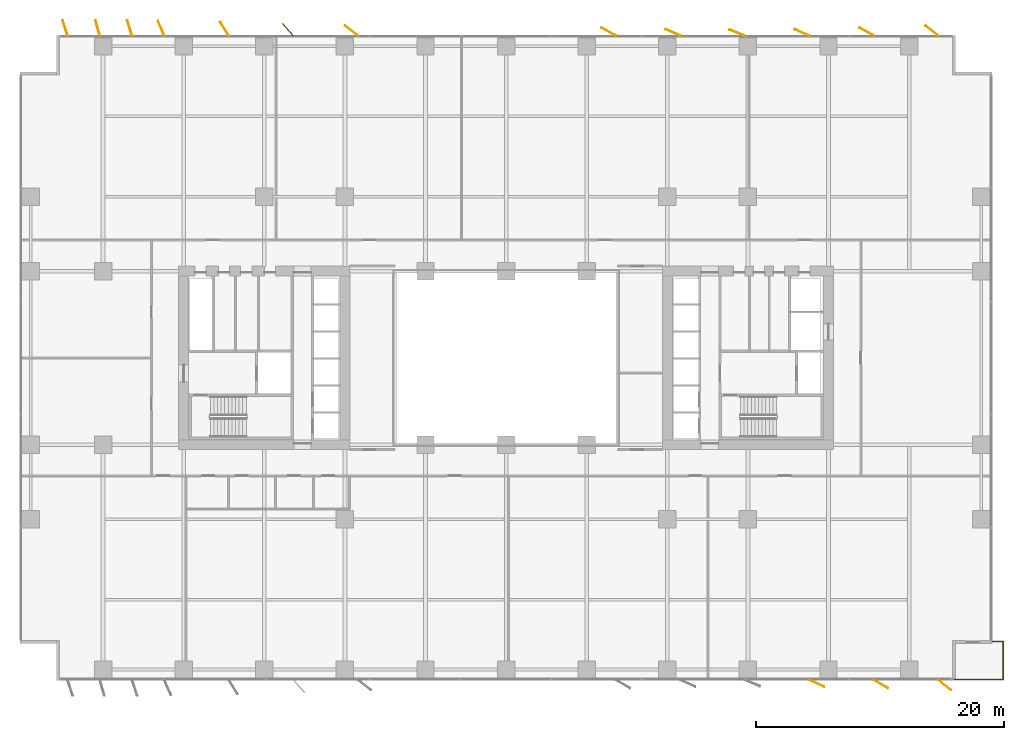
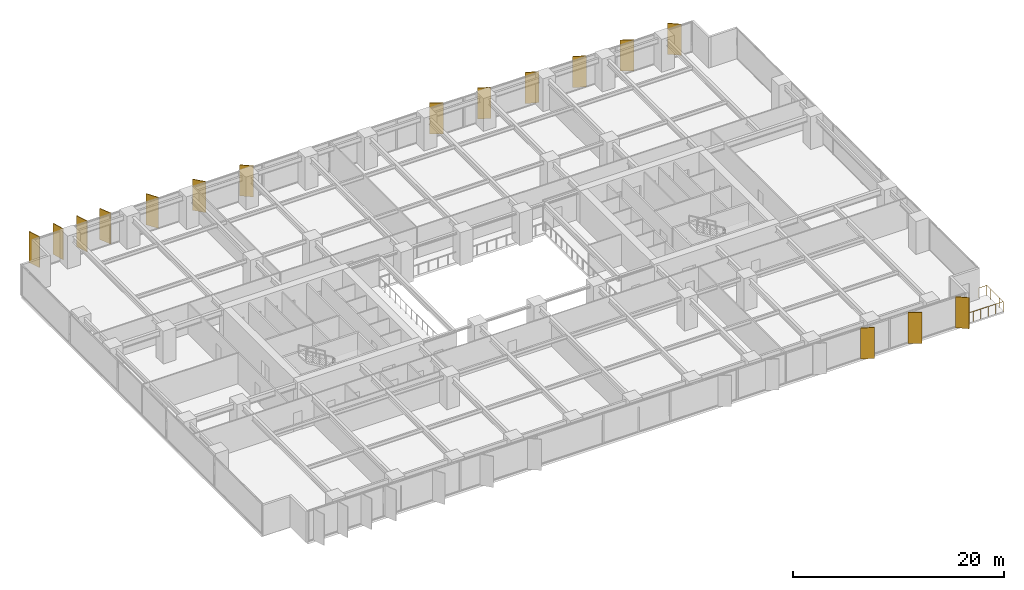
# One storey, part 20 of 20: 16 shading devices, 1 railing.
"""IFC4 building model written with IfcOpenShell, lengths in metres."""

from ifc_helpers import new_model, si_unit, direction, frame, origin, origin_2d, place, context, subcontext, project, spatial, rectangle, circle, extrude, material, layer, layer_set, type_object, element, save


model = new_model("IFC4")

# Units and contexts
model_context = context("Model", 3, precision=1e-05, world=origin(), true_north=direction((0.0, 1.0)))
body_context = subcontext(model_context, "Body", "Model", "MODEL_VIEW")
ifc_project = project(units=[si_unit("LENGTHUNIT", "METRE"), si_unit("AREAUNIT", "SQUARE_METRE"), si_unit("VOLUMEUNIT", "CUBIC_METRE"), si_unit("PLANEANGLEUNIT", "RADIAN"), si_unit("MASSUNIT", "GRAM", prefix="KILO")], contexts=[model_context])

# Site, building, storey
site_placement = place(None, origin())
site = spatial("IfcSite", under=ifc_project, at=site_placement, CompositionType="ELEMENT")
building_placement = place(site_placement, origin())
building = spatial("IfcBuilding", under=site, at=building_placement, Name="Putna Gate Headquarters", CompositionType="ELEMENT")
storey_placement = place(building_placement, frame((0.0, 0.0, 43.0)))
storey = spatial("IfcBuildingStorey", under=building, at=storey_placement, Name="L09", CompositionType="ELEMENT", Elevation=43.0)

# Railing
ifc_material_1 = material(Name="Anodised bronze steel and laminated glass guardrail", Category="steel")
railing_type = type_object("IfcRailingType", Name="RAIL-TERR-GUARD-1150", PredefinedType="GUARDRAIL", material=ifc_material_1)
railing_placement = place(storey_placement, frame((75.0, 0.06005859375, 0.0)))
element("IfcRailing", 1, at=railing_placement, inside=storey, type_object=railing_type, Name="L09 Spiral Sky Terrace Guardrail SE", PredefinedType="GUARDRAIL", context=body_context, shape_type="SweptSolid", body=[
    extrude(circle(Radius=0.02392578125, at=origin_2d()), frame((0.0, 0.0, 1.1259765625), z_axis=(1.0, 0.0, 0.0), x_axis=(0.0, 1.0, 0.0)), (0.0, 0.0, 1.0), 4.090087890625),
    extrude(circle(Radius=0.02392578125, at=origin_2d()), frame((4.090087890625, 0.0, 1.1259765625), z_axis=(0.0, 1.0, 0.0), x_axis=(-1.0, 0.0, 0.0)), (0.0, 0.0, 1.0), 3.079833984375),
    extrude(circle(Radius=0.02392578125, at=origin_2d()), frame((4.090087890625, 3.079833984375, 1.1259765625), z_axis=(-1.0, 0.0, 0.0), x_axis=(0.0, -1.0, 0.0)), (0.0, 0.0, 1.0), 0.89013671875),
    extrude(circle(Radius=0.02099609375, at=origin_2d()), origin(), (0.0, 0.0, 1.0), 1.101806640625),
    extrude(circle(Radius=0.02099609375, at=origin_2d()), frame((0.818115234375, 0.0, 0.0)), (0.0, 0.0, 1.0), 1.101806640625),
    extrude(circle(Radius=0.02099609375, at=origin_2d()), frame((1.635986328125, 0.0, 0.0)), (0.0, 0.0, 1.0), 1.101806640625),
    extrude(circle(Radius=0.02099609375, at=origin_2d()), frame((2.4541015625, 0.0, 0.0)), (0.0, 0.0, 1.0), 1.101806640625),
    extrude(circle(Radius=0.02099609375, at=origin_2d()), frame((3.27197265625, 0.0, 0.0)), (0.0, 0.0, 1.0), 1.101806640625),
    extrude(circle(Radius=0.02099609375, at=origin_2d()), frame((4.090087890625, 0.0, 0.0)), (0.0, 0.0, 1.0), 1.101806640625),
    extrude(circle(Radius=0.02099609375, at=origin_2d()), frame((4.090087890625, 0.77001953125, 0.0)), (0.0, 0.0, 1.0), 1.101806640625),
    extrude(circle(Radius=0.02099609375, at=origin_2d()), frame((4.090087890625, 1.5400390625, 0.0)), (0.0, 0.0, 1.0), 1.101806640625),
    extrude(circle(Radius=0.02099609375, at=origin_2d()), frame((4.090087890625, 2.309814453125, 0.0)), (0.0, 0.0, 1.0), 1.101806640625),
    extrude(circle(Radius=0.02099609375, at=origin_2d()), frame((4.090087890625, 3.079833984375, 0.0)), (0.0, 0.0, 1.0), 1.101806640625),
    extrude(circle(Radius=0.02099609375, at=origin_2d()), frame((3.199951171875, 3.079833984375, 0.0)), (0.0, 0.0, 1.0), 1.101806640625),
])

# Shading devices
ifc_material_2 = material(Name="Anodised architectural bronze aluminium fin", Category="aluminium")
ifc_layer = layer(ifc_material_2, 0.06494140625)
ifc_layer_set = layer_set([ifc_layer], Name="Anodised architectural bronze aluminium fin")
shading_device_type = type_object("IfcShadingDeviceType", Name="SHADE-BRONZE-FIN-1320", PredefinedType="USERDEFINED", material=ifc_layer_set)
for number, where, z_axis, x_axis, name in (
    (2, (3.4462890625, 52.602783203125, -0.02001953125), (0.0, 0.0, 1.0), (-0.308684994204, 0.951164325631, 0.0), "L09 Bronze Vertical Shading Fin N1"),
    (3, (6.068115234375, 52.609375, -0.02001953125), (0.0, 0.0, 1.0), (-0.275637355817, 0.961261695938, 0.0), "L09 Bronze Vertical Shading Fin N2"),
    (4, (8.646240234375, 52.602783203125, -0.02001953125), (0.0, 0.0, 1.0), (-0.308684994204, 0.951164325631, 0.0), "L09 Bronze Vertical Shading Fin N3"),
    (5, (11.185546875, 52.57958984375, -0.02001953125), (0.0, 0.0, 1.0), (-0.400668879095, 0.916222925562, 0.0), "L09 Bronze Vertical Shading Fin N4"),
    (6, (16.2998046875, 52.534423828125, -0.02001953125), (0.0, 0.0, 1.0), (-0.530659123936, 0.847585331506, 0.0), "L09 Bronze Vertical Shading Fin N5"),
    (7, (21.408447265625, 52.465576171875, -0.02001953125), (0.0, 0.0, 1.0), (-0.669130606359, 0.743144825477, 0.0), "L09 Bronze Vertical Shading Fin N6"),
    (8, (26.5302734375, 52.3818359375, -0.02001953125), (0.0, 0.0, 1.0), (-0.787473187632, 0.616348909921, 0.0), "L09 Bronze Vertical Shading Fin N7"),
    (9, (47.276123046875, 52.30126953125, -0.02001953125), (0.0, 0.0, 1.0), (-0.869322458298, 0.494245347472, 0.0), "L09 Bronze Vertical Shading Fin N8"),
    (10, (52.447021484375, 52.2431640625, -0.02001953125), (0.0, 0.0, 1.0), (-0.913687379856, 0.40641773078, 0.0), "L09 Bronze Vertical Shading Fin N9"),
    (11, (57.63818359375, 52.22216796875, -0.02001953125), (0.0, 0.0, 1.0), (-0.927183854567, 0.374606593416, 0.0), "L09 Bronze Vertical Shading Fin N10"),
    (12, (64.052978515625, -0.2431640625, -0.02001953125), (0.0, 0.0, 1.0), (0.913687379856, -0.40641773078, 0.0), "L09 Bronze Vertical Shading Fin S11"),
    (13, (62.846923828125, 52.2431640625, -0.02001953125), (0.0, 0.0, 1.0), (-0.913687379856, 0.40641773078, 0.0), "L09 Bronze Vertical Shading Fin N11"),
    (14, (69.223876953125, -0.30126953125, -0.02001953125), (0.0, 0.0, 1.0), (0.869322458298, -0.494245347472, 0.0), "L09 Bronze Vertical Shading Fin S12"),
    (15, (68.076171875, 52.30126953125, -0.02001953125), (0.0, 0.0, 1.0), (-0.869322458298, 0.494245347472, 0.0), "L09 Bronze Vertical Shading Fin N12"),
    (16, (74.36962890625, -0.3818359375, -0.02001953125), (0.0, 0.0, 1.0), (0.787473187632, -0.616348909921, 0.0), "L09 Bronze Vertical Shading Fin S13"),
    (17, (73.330322265625, 52.3818359375, -0.02001953125), (0.0, 0.0, 1.0), (-0.787473187632, 0.616348909921, 0.0), "L09 Bronze Vertical Shading Fin N13"),
):
    element("IfcShadingDevice", number, at=place(storey_placement, frame(where, z_axis=z_axis, x_axis=x_axis)), inside=storey, type_object=shading_device_type, Name=name, ObjectType="FIN", PredefinedType="USERDEFINED", context=body_context, shape_type="SweptSolid", body=[
        extrude(rectangle(XDim=1.320068359375, YDim=0.06494140625, at=origin_2d()), origin(), (0.0, 0.0, 1.0), 3.590087890625),
    ])

save(model, "model.ifc")
